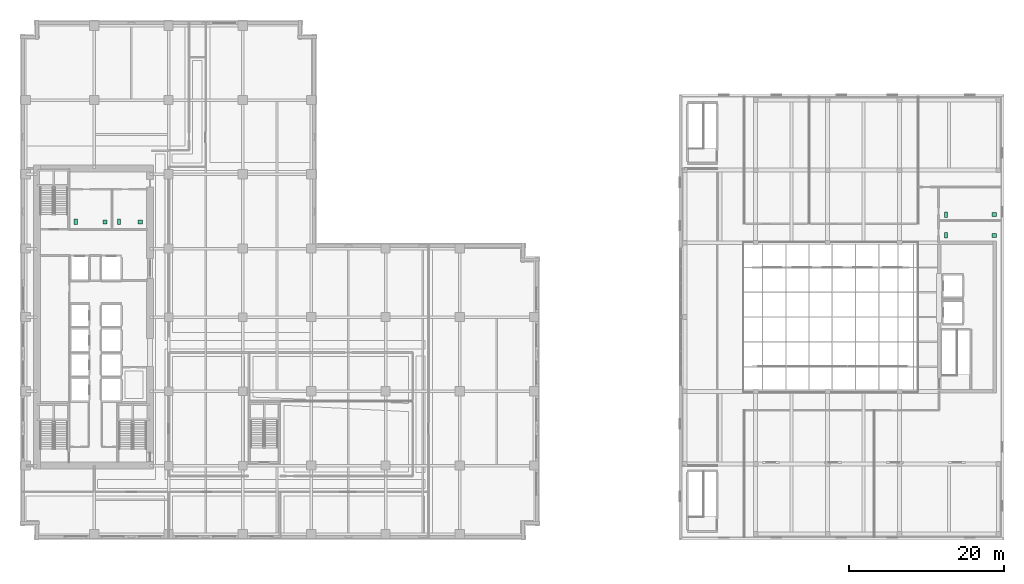
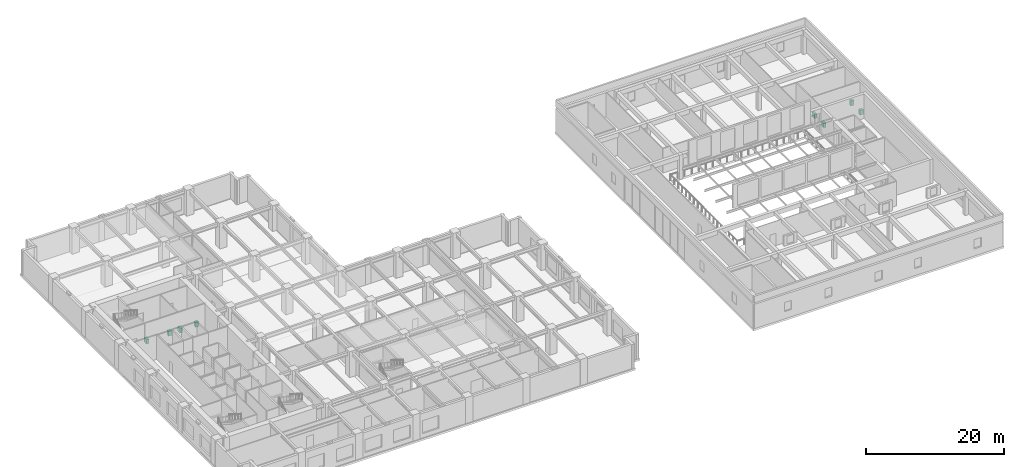
# One storey, part 21 of 21: 8 sanitary terminals.
"""IFC4 building model written with IfcOpenShell, lengths in metres."""

import ifcopenshell
import ifcopenshell.guid

model = None  # the IFC model being written
_history = None  # IfcOwnerHistory: only IFC2X3 demands one
_inside = {}  # id of a spatial element -> (the spatial element, [elements in it])
_under = {}  # id of a project, library or spatial element -> (it, [spatial elements below it])
_declared = {}  # id of a project -> (the project, [libraries it declares])
_typed = {}  # id of a type object -> (the type object, [elements of that type])
_made_of = {}  # id of a material, layer set ... -> (it, [elements and type objects made of it])


def new_model(schema):
    """Start an empty IFC model of exactly this schema.

    Asked for "IFC4X3", IfcOpenShell would pick the latest addendum, in which some entities
    have other attributes; the version numbers below select the first issue.
    IFC2X3 requires an IfcOwnerHistory on every rooted entity: one is made here for all.
    """
    global model, _history
    if schema == "IFC4X3":
        model = ifcopenshell.file(schema_version=(4, 3, 0, 0))
    else:
        model = ifcopenshell.file(schema=schema)
    _inside.clear()
    _under.clear()
    _declared.clear()
    _typed.clear()
    _made_of.clear()
    _history = None
    if model.schema == "IFC2X3":
        org = make("IfcOrganization", Name="unknown")
        user = make(
            "IfcPersonAndOrganization",
            ThePerson=make("IfcPerson", FamilyName="unknown"),
            TheOrganization=org,
        )
        app = make(
            "IfcApplication",
            ApplicationDeveloper=org,
            Version="unknown",
            ApplicationFullName="unknown",
            ApplicationIdentifier="unknown",
        )
        _history = make(
            "IfcOwnerHistory",
            OwningUser=user,
            OwningApplication=app,
            ChangeAction="ADDED",
            CreationDate=0,
        )
    return model


def make(cls, **values):
    """One entity of the class cls with the attributes given. An attribute that is None is left unset."""
    return model.create_entity(
        cls, **{name: value for name, value in values.items() if value is not None}
    )


def rooted(cls, **values):
    """An entity with a GlobalId (a new one), such as an element, a storey or a relation."""
    return make(cls, GlobalId=ifcopenshell.guid.new(), OwnerHistory=_history, **values)


def si_unit(unit_type, name, prefix=None):
    """IfcSIUnit, for example si_unit("LENGTHUNIT", "METRE", prefix="MILLI")."""
    return make("IfcSIUnit", UnitType=unit_type, Prefix=prefix, Name=name)


def assignment(units):
    """IfcUnitAssignment: the units of a project."""
    return None if units is None else make("IfcUnitAssignment", Units=units)


def point(xyz):
    """IfcCartesianPoint."""
    return None if xyz is None else make("IfcCartesianPoint", Coordinates=xyz)


def direction(xyz):
    """IfcDirection."""
    return None if xyz is None else make("IfcDirection", DirectionRatios=xyz)


def frame(location, z_axis=None, x_axis=None):
    """IfcAxis2Placement3D, a coordinate frame: its origin and axes. An axis left out is left unset."""
    return make(
        "IfcAxis2Placement3D",
        Location=point(location),
        Axis=direction(z_axis),
        RefDirection=direction(x_axis),
    )


def frame_2d(location, x_axis=None):
    """IfcAxis2Placement2D, a coordinate frame in the plane: its origin and x axis."""
    return make(
        "IfcAxis2Placement2D", Location=point(location), RefDirection=direction(x_axis)
    )


def origin():
    """The frame at (0, 0, 0) with its axes left unset."""
    return frame((0.0, 0.0, 0.0))


def origin_2d():
    """The frame at (0, 0) in the plane with its x axis left unset."""
    return frame_2d((0.0, 0.0))


def place(relative_to, where):
    """IfcLocalPlacement: puts the frame where relative to a parent placement (None: the world)."""
    return make(
        "IfcLocalPlacement", PlacementRelTo=relative_to, RelativePlacement=where
    )


def context(
    kind, dimensions, precision=None, world=None, true_north=None, identifier=None
):
    """IfcGeometricRepresentationContext, for example the 3D "Model" context."""
    return make(
        "IfcGeometricRepresentationContext",
        ContextIdentifier=identifier,
        ContextType=kind,
        CoordinateSpaceDimension=dimensions,
        Precision=precision,
        WorldCoordinateSystem=world,
        TrueNorth=true_north,
    )


def subcontext(parent, identifier, kind, view, scale=None):
    """IfcGeometricRepresentationSubContext, for example "Body" below "Model"."""
    return make(
        "IfcGeometricRepresentationSubContext",
        ContextIdentifier=identifier,
        ContextType=kind,
        ParentContext=parent,
        TargetScale=scale,
        TargetView=view,
    )


def project(units=None, contexts=None):
    """IfcProject with its units and contexts."""
    return rooted(
        "IfcProject",
        Name="project",
        RepresentationContexts=contexts,
        UnitsInContext=assignment(units),
    )


def spatial(cls, under=None, at=None, **own):
    """A site, building, storey or space (cls), placed at a placement, below another one or the project."""
    s = rooted(cls, ObjectPlacement=at, **own)
    if under is not None:
        _under.setdefault(under.id(), (under, []))[1].append(s)
    return s


def profile(cls, at=None, kind="AREA", **sizes):
    """A parametric profile (cls). Its sizes go by their IFC names, for example OverallWidth=200.0."""
    return make(cls, ProfileType=kind, Position=at, **sizes)


def rectangle(**sizes):
    """IfcRectangleProfileDef."""
    return profile("IfcRectangleProfileDef", **sizes)


def extrude(swept, where, along, depth):
    """IfcExtrudedAreaSolid: the profile swept, set in the frame where, extruded along a direction by depth."""
    return make(
        "IfcExtrudedAreaSolid",
        SweptArea=swept,
        Position=where,
        ExtrudedDirection=direction(along),
        Depth=depth,
    )


def shape(context_of_items, identifier, shape_type, items):
    """IfcShapeRepresentation: the items that make up one representation, for example the "Body"."""
    return make(
        "IfcShapeRepresentation",
        ContextOfItems=context_of_items,
        RepresentationIdentifier=identifier,
        RepresentationType=shape_type,
        Items=items,
    )


def material(Name=None, Category=None):
    """IfcMaterial."""
    return make("IfcMaterial", Name=Name, Category=Category)


def made_of(thing, what):
    """Note that an element or type object is made of a material, layer set ...; save() writes the relation."""
    if what is not None:
        _made_of.setdefault(what.id(), (what, []))[1].append(thing)
    return thing


def type_object(cls, material=None, **own):
    """A type object (cls), such as IfcWallType, which elements share."""
    return made_of(rooted(cls, **own), material)


def element(
    cls,
    number,
    at=None,
    inside=None,
    cuts=None,
    type_object=None,
    material=None,
    context=None,
    identifier="Body",
    shape_type=None,
    held_by="IfcProductDefinitionShape",
    body=None,
    shapes=None,
    **own,
):
    """One element of the class cls, such as IfcWall. Its Tag is "e" and its number.

    at: its placement. inside: the storey or other place that contains it. cuts: it is an
    opening in that element (IfcRelVoidsElement). A single representation is given by context,
    identifier, shape_type and body (its items); several are given by shapes. held_by: the class
    of the entity that holds the representations. save() writes the other relations.
    """
    e = rooted(cls, Tag="e%d" % number, ObjectPlacement=at, **own)
    if body is not None:
        shapes = [shape(context, identifier, shape_type, body)]
    if shapes is not None:
        e.Representation = make(held_by, Representations=shapes)
    if inside is not None:
        _inside.setdefault(inside.id(), (inside, []))[1].append(e)
    if cuts is not None:
        rooted(
            "IfcRelVoidsElement", RelatingBuildingElement=cuts, RelatedOpeningElement=e
        )
    if type_object is not None:
        _typed.setdefault(type_object.id(), (type_object, []))[1].append(e)
    return made_of(e, material)


def aggregate(whole, parts):
    """IfcRelAggregates: a whole, such as a stair, and the parts it consists of."""
    return rooted("IfcRelAggregates", RelatingObject=whole, RelatedObjects=parts)


def save(model, path):
    """Write the relations noted so far, then the file.

    IfcRelAggregates (storeys below a building ...), IfcRelContainedInSpatialStructure (elements
    in a storey), IfcRelDefinesByType, IfcRelAssociatesMaterial and IfcRelDeclares: one each for
    every whole, place, type object, material and project.
    """
    for whole, parts in _under.values():
        aggregate(whole, parts)
    for where, things in _inside.values():
        rooted(
            "IfcRelContainedInSpatialStructure",
            RelatedElements=things,
            RelatingStructure=where,
        )
    for kind, things in _typed.values():
        rooted("IfcRelDefinesByType", RelatedObjects=things, RelatingType=kind)
    for what, things in _made_of.values():
        rooted("IfcRelAssociatesMaterial", RelatedObjects=things, RelatingMaterial=what)
    for by, libraries in _declared.values():
        rooted("IfcRelDeclares", RelatingContext=by, RelatedDefinitions=libraries)
    model.write(path)


model = new_model("IFC4")

# Units and contexts
model_context = context("Model", 3, precision=1e-05, world=origin(), true_north=direction((0.0, 1.0)))
body_context = subcontext(model_context, "Body", "Model", "MODEL_VIEW")
ifc_project = project(units=[si_unit("LENGTHUNIT", "METRE"), si_unit("AREAUNIT", "SQUARE_METRE"), si_unit("VOLUMEUNIT", "CUBIC_METRE"), si_unit("PLANEANGLEUNIT", "RADIAN"), si_unit("MASSUNIT", "GRAM", prefix="KILO")], contexts=[model_context])

# Site, building, storey
site_placement = place(None, origin())
site = spatial("IfcSite", under=ifc_project, at=site_placement, CompositionType="ELEMENT")
building_placement = place(site_placement, origin())
building = spatial("IfcBuilding", under=site, at=building_placement, Name="Norrvale University Quadrangle", CompositionType="ELEMENT")
storey_placement = place(building_placement, frame((0.0, 0.0, 19.60009765625)))
storey = spatial("IfcBuildingStorey", under=building, at=storey_placement, Name="L04", CompositionType="ELEMENT", Elevation=19.60009765625)

# Sanitary terminals
ifc_material = material(Name="Vitreous China Sanitaryware")
sanitary_terminal_type_1 = type_object("IfcSanitaryTerminalType", Name="Sanitary Wash Basin", PredefinedType="WASHHANDBASIN", material=ifc_material)
for number, where, z_axis, x_axis, name in (
    (1, (11.0, 41.10009765625, -0.000244140625), (0.0, 0.0, 1.0), (1.0, 0.0, 0.0), "Accessible Countertop Washbasin L04-1"),
    (2, (15.550048828125, 41.10009765625, -0.000244140625), (0.0, 0.0, 1.0), (1.0, 0.0, 0.0), "Accessible Countertop Washbasin L04-2"),
    (3, (125.949951171875, 39.35009765625, -0.000244140625), (0.0, 0.0, 1.0), (1.0, 0.0, 0.0), "Accessible Countertop Washbasin L04-3"),
    (4, (125.949951171875, 42.050048828125, -0.000244140625), (0.0, 0.0, 1.0), (1.0, 0.0, 0.0), "Accessible Countertop Washbasin L04-4"),
):
    element("IfcSanitaryTerminal", number, at=place(storey_placement, frame(where, z_axis=z_axis, x_axis=x_axis)), inside=storey, type_object=sanitary_terminal_type_1, Name=name, PredefinedType="WASHHANDBASIN", context=body_context, shape_type="SweptSolid", body=[
        extrude(rectangle(XDim=0.550048828125, YDim=0.47998046875, at=origin_2d()), origin(), (0.0, 0.0, 1.0), 0.85009765625),
    ])
sanitary_terminal_type_2 = type_object("IfcSanitaryTerminalType", Name="Sanitary Water Closet", PredefinedType="TOILETPAN", material=ifc_material)
for number, where, z_axis, x_axis, name in (
    (5, (7.199951171875, 41.10009765625, 0.0), (0.0, 0.0, 1.0), (1.0, 0.0, 0.0), "Wall-Hung Water Closet L04-1"),
    (6, (12.800048828125, 41.10009765625, 0.0), (0.0, 0.0, 1.0), (1.0, 0.0, 0.0), "Wall-Hung Water Closet L04-2"),
    (7, (119.699951171875, 39.35009765625, 0.0), (0.0, 0.0, 1.0), (1.0, 0.0, 0.0), "Wall-Hung Water Closet L04-3"),
    (8, (119.699951171875, 42.050048828125, 0.0), (0.0, 0.0, 1.0), (1.0, 0.0, 0.0), "Wall-Hung Water Closet L04-4"),
):
    element("IfcSanitaryTerminal", number, at=place(storey_placement, frame(where, z_axis=z_axis, x_axis=x_axis)), inside=storey, type_object=sanitary_terminal_type_2, Name=name, PredefinedType="TOILETPAN", context=body_context, shape_type="SweptSolid", body=[
        extrude(rectangle(XDim=0.419921875, YDim=0.699951171875, at=origin_2d()), origin(), (0.0, 0.0, 1.0), 0.780029296875),
    ])

save(model, "model.ifc")
